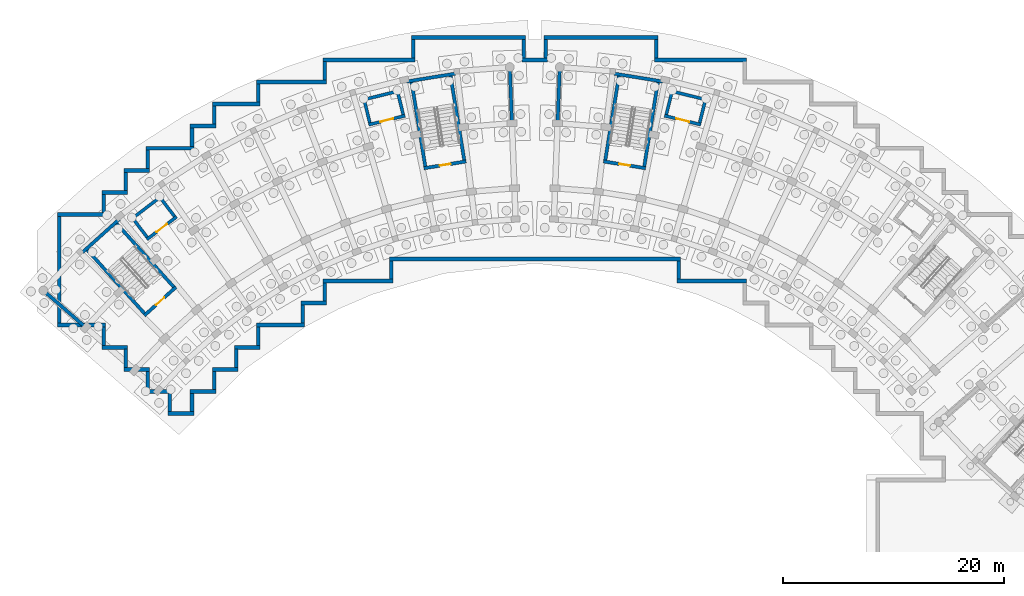
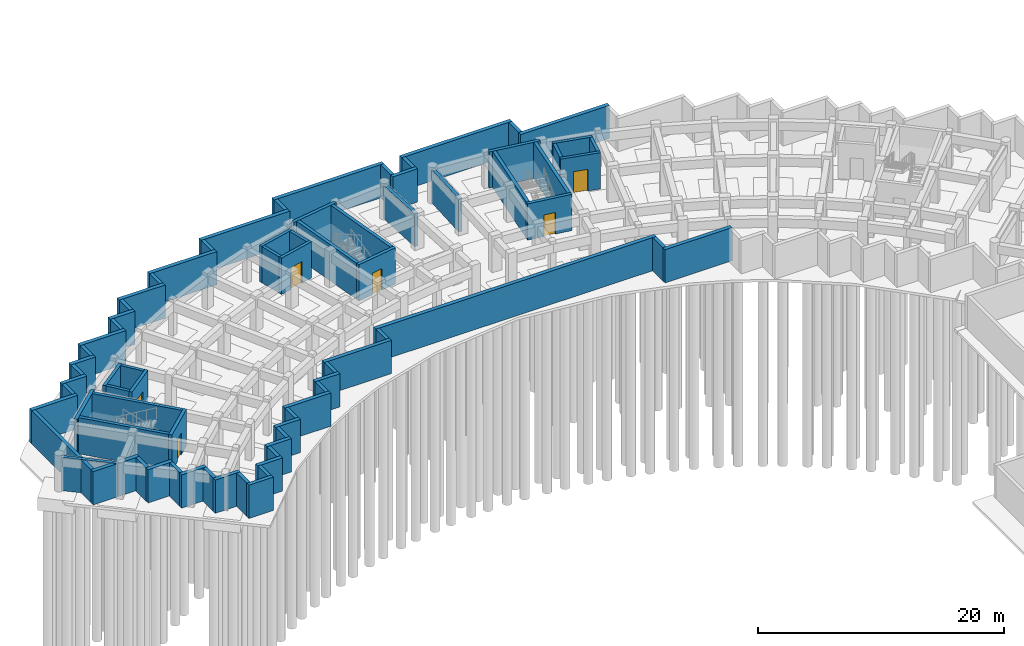
# One storey, part 19 of 32: 76 walls, 6 doors, 6 openings.
"""IFC4 building model written with IfcOpenShell, lengths in metres."""

from ifc_helpers import new_model, si_unit, direction, frame, frame_2d, origin, place, context, subcontext, project, spatial, rectangle, extrude, material, layer, layer_set, type_object, element, fill, save


model = new_model("IFC4")

# Units and contexts
model_context = context("Model", 3, precision=1e-05, world=origin(), true_north=direction((0.0, 1.0)))
body_context = subcontext(model_context, "Body", "Model", "MODEL_VIEW")
ifc_project = project(units=[si_unit("LENGTHUNIT", "METRE"), si_unit("AREAUNIT", "SQUARE_METRE"), si_unit("VOLUMEUNIT", "CUBIC_METRE"), si_unit("PLANEANGLEUNIT", "RADIAN"), si_unit("MASSUNIT", "GRAM", prefix="KILO")], contexts=[model_context])

# Site, building, storey
site_placement = place(None, origin())
site = spatial("IfcSite", under=ifc_project, at=site_placement, CompositionType="ELEMENT")
building_placement = place(site_placement, origin())
building = spatial("IfcBuilding", under=site, at=building_placement, Name="Zimvara Arc Housing Community", CompositionType="ELEMENT")
storey_placement = place(building_placement, frame((0.0, 0.0, -3.60009765625)))
storey = spatial("IfcBuildingStorey", under=building, at=storey_placement, Name="B1", CompositionType="ELEMENT", Elevation=-3.60009765625)

# Wall, opening, door
ifc_material_1 = material(Name="Concrete C40/50", Category="concrete")
ifc_layer_1 = layer(ifc_material_1, 0.280029296875)
ifc_layer_set_1 = layer_set([ifc_layer_1], Name="Concrete C40/50")
wall_type_1 = type_object("IfcWallType", Name="WL-CORE-280", PredefinedType="SHEAR", material=ifc_layer_set_1)
wall_1_placement = place(storey_placement, frame((12.615966796875, 89.80712890625, 0.0), z_axis=(0.0, 0.0, 1.0), x_axis=(-0.795474703455, -0.605986795371, 0.0)))
wall_1 = element("IfcWall", 1, at=wall_1_placement, inside=storey, type_object=wall_type_1, Name="lwall:LF-A1:B1:front", PredefinedType="SHEAR", context=body_context, shape_type="SweptSolid", body=[
    extrude(rectangle(XDim=3.389892578125, YDim=0.280029296875, at=frame_2d((1.69482421875, 0.0))), origin(), (0.0, 0.0, 1.0), 3.60009765625),
])
opening_1_placement = place(wall_1_placement, frame((1.094970703125, 0.0, 0.0)))
opening_1 = element("IfcOpeningElement", 2, at=opening_1_placement, cuts=wall_1, Name="Opening LD-LF-A1", PredefinedType="OPENING", context=body_context, shape_type="SweptSolid", body=[
    extrude(rectangle(XDim=1.199951171875, YDim=2.14990234375, at=frame_2d((0.60009765625, 1.074951171875))), frame((0.0, 0.14990234375, 0.0), z_axis=(0.0, -1.0, 0.0), x_axis=(1.0, 0.0, 0.0)), (0.0, 0.0, 1.0), 0.300048828125),
])
ifc_material_2 = material(Name="Anodised Aluminium AW-6063", Category="aluminium")
door_type_1 = type_object("IfcDoorType", Name="IDR-LD-1200x2150", OperationType="DOUBLE_DOOR_SLIDING", PredefinedType="DOOR", material=ifc_material_2)
door_1_placement = place(opening_1_placement, origin())
door_1 = element("IfcDoor", 3, at=door_1_placement, inside=storey, type_object=door_type_1, Name="Lift LF-A1 Sliding Landing Door B1", OperationType="DOUBLE_DOOR_SLIDING", OverallHeight=2.14990234375, OverallWidth=1.199951171875, PredefinedType="DOOR", context=body_context, shape_type="SweptSolid", body=[
    extrude(rectangle(XDim=1.199951171875, YDim=2.14990234375, at=frame_2d((0.60009765625, 1.074951171875))), frame((0.0, 0.02490234375, 0.0), z_axis=(0.0, -1.0, 0.0), x_axis=(1.0, 0.0, 0.0)), (0.0, 0.0, 1.0), 0.050048828125),
])
fill(opening_1, door_1)

# Walls
wall_2_placement = place(storey_placement, frame((11.216064453125, 91.644775390625, 0.0), z_axis=(0.0, 0.0, 1.0), x_axis=(-0.795439986025, -0.606032365994, 0.0)))
element("IfcWall", 4, at=wall_2_placement, inside=storey, type_object=wall_type_1, Name="lwall:LF-A1:B1:back", PredefinedType="SHEAR", context=body_context, shape_type="SweptSolid", body=[
    extrude(rectangle(XDim=3.389892578125, YDim=0.280029296875, at=frame_2d((1.69482421875, 0.0))), origin(), (0.0, 0.0, 1.0), 3.60009765625),
])
wall_3_placement = place(storey_placement, frame((12.419677734375, 89.833740234375, 0.0), z_axis=(0.0, 0.0, 1.0), x_axis=(-0.605948992168, 0.795503500238, 0.0)))
element("IfcWall", 5, at=wall_3_placement, inside=storey, type_object=wall_type_1, Name="lwall:LF-A1:B1:left", PredefinedType="SHEAR", context=body_context, shape_type="SweptSolid", body=[
    extrude(rectangle(XDim=2.02978515625, YDim=0.280029296875, at=frame_2d((1.014892578125, 0.0))), origin(), (0.0, 0.0, 1.0), 3.60009765625),
])
wall_4_placement = place(storey_placement, frame((9.94580078125, 87.948974609375, 0.0), z_axis=(0.0, 0.0, 1.0), x_axis=(-0.605891019062, 0.795547656033, 0.0)))
element("IfcWall", 6, at=wall_4_placement, inside=storey, type_object=wall_type_1, Name="lwall:LF-A1:B1:right", PredefinedType="SHEAR", context=body_context, shape_type="SweptSolid", body=[
    extrude(rectangle(XDim=2.030029296875, YDim=0.280029296875, at=frame_2d((1.01513671875, 0.0))), origin(), (0.0, 0.0, 1.0), 3.60009765625),
])

# Wall, opening, door
wall_5_placement = place(storey_placement, frame((33.27294921875, 98.942138671875, 0.0), z_axis=(0.0, 0.0, 1.0), x_axis=(-0.970707542441, -0.240264160972, 0.0)))
wall_5 = element("IfcWall", 7, at=wall_5_placement, inside=storey, type_object=wall_type_1, Name="lwall:LF-A2:B1:front", PredefinedType="SHEAR", context=body_context, shape_type="SweptSolid", body=[
    extrude(rectangle(XDim=3.389892578125, YDim=0.280029296875, at=frame_2d((1.69482421875, 0.0))), origin(), (0.0, 0.0, 1.0), 3.60009765625),
])
opening_2_placement = place(wall_5_placement, frame((1.094970703125, 0.0, 0.0)))
opening_2 = element("IfcOpeningElement", 8, at=opening_2_placement, cuts=wall_5, Name="Opening LD-LF-A2", PredefinedType="OPENING", context=body_context, shape_type="SweptSolid", body=[
    extrude(rectangle(XDim=1.199951171875, YDim=2.14990234375, at=frame_2d((0.60009765625, 1.074951171875))), frame((0.0, 0.14990234375, 0.0), z_axis=(0.0, -1.0, 0.0), x_axis=(1.0, 0.0, 0.0)), (0.0, 0.0, 1.0), 0.300048828125),
])
door_2_placement = place(opening_2_placement, origin())
door_2 = element("IfcDoor", 9, at=door_2_placement, inside=storey, type_object=door_type_1, Name="Lift LF-A2 Sliding Landing Door B1", OperationType="DOUBLE_DOOR_SLIDING", OverallHeight=2.14990234375, OverallWidth=1.199951171875, PredefinedType="DOOR", context=body_context, shape_type="SweptSolid", body=[
    extrude(rectangle(XDim=1.199951171875, YDim=2.14990234375, at=frame_2d((0.60009765625, 1.074951171875))), frame((0.0, 0.02490234375, 0.0), z_axis=(0.0, -1.0, 0.0), x_axis=(1.0, 0.0, 0.0)), (0.0, 0.0, 1.0), 0.050048828125),
])
fill(opening_2, door_2)

# Walls
wall_6_placement = place(storey_placement, frame((32.71826171875, 101.1845703125, 0.0), z_axis=(0.0, 0.0, 1.0), x_axis=(-0.970711699588, -0.240247364777, 0.0)))
element("IfcWall", 10, at=wall_6_placement, inside=storey, type_object=wall_type_1, Name="lwall:LF-A2:B1:back", PredefinedType="SHEAR", context=body_context, shape_type="SweptSolid", body=[
    extrude(rectangle(XDim=3.39013671875, YDim=0.280029296875, at=frame_2d((1.695068359375, 0.0))), origin(), (0.0, 0.0, 1.0), 3.60009765625),
])
wall_7_placement = place(storey_placement, frame((33.103515625, 99.04443359375, 0.0), z_axis=(0.0, 0.0, 1.0), x_axis=(-0.240186044774, 0.970726873995, 0.0)))
element("IfcWall", 11, at=wall_7_placement, inside=storey, type_object=wall_type_1, Name="lwall:LF-A2:B1:left", PredefinedType="SHEAR", context=body_context, shape_type="SweptSolid", body=[
    extrude(rectangle(XDim=2.02978515625, YDim=0.280029296875, at=frame_2d((1.014892578125, 0.0))), origin(), (0.0, 0.0, 1.0), 3.60009765625),
])
wall_8_placement = place(storey_placement, frame((30.084716796875, 98.29736328125, 0.0), z_axis=(0.0, 0.0, 1.0), x_axis=(-0.2402993748, 0.970698825832, 0.0)))
element("IfcWall", 12, at=wall_8_placement, inside=storey, type_object=wall_type_1, Name="lwall:LF-A2:B1:right", PredefinedType="SHEAR", context=body_context, shape_type="SweptSolid", body=[
    extrude(rectangle(XDim=2.030029296875, YDim=0.280029296875, at=frame_2d((1.01513671875, 0.0))), origin(), (0.0, 0.0, 1.0), 3.60009765625),
])

# Wall, opening, door
wall_9_placement = place(storey_placement, frame((60.017578125, 98.127685546875, 0.0), z_axis=(0.0, 0.0, 1.0), x_axis=(-0.970707542441, 0.240264160972, 0.0)))
wall_9 = element("IfcWall", 13, at=wall_9_placement, inside=storey, type_object=wall_type_1, Name="lwall:LF-B1:B1:front", PredefinedType="SHEAR", context=body_context, shape_type="SweptSolid", body=[
    extrude(rectangle(XDim=3.389892578125, YDim=0.280029296875, at=frame_2d((1.69482421875, 0.0))), origin(), (0.0, 0.0, 1.0), 3.60009765625),
])
opening_3_placement = place(wall_9_placement, frame((1.094970703125, 0.0, 0.0)))
opening_3 = element("IfcOpeningElement", 14, at=opening_3_placement, cuts=wall_9, Name="Opening LD-LF-B1", PredefinedType="OPENING", context=body_context, shape_type="SweptSolid", body=[
    extrude(rectangle(XDim=1.199951171875, YDim=2.14990234375, at=frame_2d((0.60009765625, 1.074951171875))), frame((0.0, 0.14990234375, 0.0), z_axis=(0.0, -1.0, 0.0), x_axis=(1.0, 0.0, 0.0)), (0.0, 0.0, 1.0), 0.300048828125),
])
door_3_placement = place(opening_3_placement, origin())
door_3 = element("IfcDoor", 15, at=door_3_placement, inside=storey, type_object=door_type_1, Name="Lift LF-B1 Sliding Landing Door B1", OperationType="DOUBLE_DOOR_SLIDING", OverallHeight=2.14990234375, OverallWidth=1.199951171875, PredefinedType="DOOR", context=body_context, shape_type="SweptSolid", body=[
    extrude(rectangle(XDim=1.199951171875, YDim=2.14990234375, at=frame_2d((0.60009765625, 1.074951171875))), frame((0.0, 0.02490234375, 0.0), z_axis=(0.0, -1.0, 0.0), x_axis=(1.0, 0.0, 0.0)), (0.0, 0.0, 1.0), 0.050048828125),
])
fill(opening_3, door_3)

# Walls
wall_10_placement = place(storey_placement, frame((60.572509765625, 100.3701171875, 0.0), z_axis=(0.0, 0.0, 1.0), x_axis=(-0.970711699588, 0.240247364777, 0.0)))
element("IfcWall", 16, at=wall_10_placement, inside=storey, type_object=wall_type_1, Name="lwall:LF-B1:B1:back", PredefinedType="SHEAR", context=body_context, shape_type="SweptSolid", body=[
    extrude(rectangle(XDim=3.39013671875, YDim=0.280029296875, at=frame_2d((1.695068359375, 0.0))), origin(), (0.0, 0.0, 1.0), 3.60009765625),
])
wall_11_placement = place(storey_placement, frame((59.915283203125, 98.29736328125, 0.0), z_axis=(0.0, 0.0, 1.0), x_axis=(0.2402993748, 0.970698825832, 0.0)))
element("IfcWall", 17, at=wall_11_placement, inside=storey, type_object=wall_type_1, Name="lwall:LF-B1:B1:left", PredefinedType="SHEAR", context=body_context, shape_type="SweptSolid", body=[
    extrude(rectangle(XDim=2.030029296875, YDim=0.280029296875, at=frame_2d((1.01513671875, 0.0))), origin(), (0.0, 0.0, 1.0), 3.60009765625),
])
wall_12_placement = place(storey_placement, frame((56.896484375, 99.04443359375, 0.0), z_axis=(0.0, 0.0, 1.0), x_axis=(0.240186044774, 0.970726873995, 0.0)))
element("IfcWall", 18, at=wall_12_placement, inside=storey, type_object=wall_type_1, Name="lwall:LF-B1:B1:right", PredefinedType="SHEAR", context=body_context, shape_type="SweptSolid", body=[
    extrude(rectangle(XDim=2.02978515625, YDim=0.280029296875, at=frame_2d((1.014892578125, 0.0))), origin(), (0.0, 0.0, 1.0), 3.60009765625),
])

# Wall, opening, door
ifc_material_3 = material(Name="Concrete C40/50", Category="concrete")
ifc_layer_2 = layer(ifc_material_3, 0.300048828125)
ifc_layer_set_2 = layer_set([ifc_layer_2], Name="Concrete C40/50")
wall_type_2 = type_object("IfcWallType", Name="WL-CORE-300", PredefinedType="SHEAR", material=ifc_layer_set_2)
wall_13_placement = place(storey_placement, frame((12.556884765625, 83.4501953125, 0.0), z_axis=(0.0, 0.0, 1.0), x_axis=(-0.743375696158, -0.668874109501, 0.0)))
wall_13 = element("IfcWall", 19, at=wall_13_placement, inside=storey, type_object=wall_type_2, Name="cwall:ST-A1:B1:near", PredefinedType="SHEAR", context=body_context, shape_type="SweptSolid", body=[
    extrude(rectangle(XDim=3.8701171875, YDim=0.300048828125, at=frame_2d((1.93505859375, 0.0))), origin(), (0.0, 0.0, 1.0), 3.60009765625),
])
opening_4_placement = place(wall_13_placement, frame((1.43505859375, 0.0, 0.0)))
opening_4 = element("IfcOpeningElement", 20, at=opening_4_placement, cuts=wall_13, Name="Opening FD-ST1", PredefinedType="OPENING", context=body_context, shape_type="SweptSolid", body=[
    extrude(rectangle(XDim=1.0, YDim=2.14990234375, at=frame_2d((0.5, 1.074951171875))), frame((0.0, 0.159912109375, 0.0), z_axis=(0.0, -1.0, 0.0), x_axis=(1.0, 0.0, 0.0)), (0.0, 0.0, 1.0), 0.320068359375),
])
ifc_material_4 = material(Name="Anodised Aluminium AW-6063", Category="aluminium")
door_type_2 = type_object("IfcDoorType", Name="IDR-ST-1000x2150", OperationType="NOTDEFINED", PredefinedType="DOOR", material=ifc_material_4)
door_4_placement = place(opening_4_placement, origin())
door_4 = element("IfcDoor", 21, at=door_4_placement, inside=storey, type_object=door_type_2, Name="idoor:ST-A1:B1:entry", OperationType="SINGLE_SWING_LEFT", OverallHeight=2.14990234375, OverallWidth=1.0, PredefinedType="DOOR", context=body_context, shape_type="SweptSolid", body=[
    extrude(rectangle(XDim=1.0, YDim=2.14990234375, at=frame_2d((0.5, 1.074951171875))), frame((0.0, 0.02490234375, 0.0), z_axis=(0.0, -1.0, 0.0), x_axis=(1.0, 0.0, 0.0)), (0.0, 0.0, 1.0), 0.050048828125),
])
fill(opening_4, door_4)

# Walls
wall_14_placement = place(storey_placement, frame((7.435546875, 89.59033203125, 0.0), z_axis=(0.0, 0.0, 1.0), x_axis=(-0.743400052815, -0.668847038922, 0.0)))
element("IfcWall", 22, at=wall_14_placement, inside=storey, type_object=wall_type_2, Name="cwall:ST-A1:B1:far", PredefinedType="SHEAR", context=body_context, shape_type="SweptSolid", body=[
    extrude(rectangle(XDim=4.469970703125, YDim=0.300048828125, at=frame_2d((2.23486328125, 0.0))), origin(), (0.0, 0.0, 1.0), 3.60009765625),
])
wall_15_placement = place(storey_placement, frame((12.344970703125, 83.461181640625, 0.0), z_axis=(0.0, 0.0, 1.0), x_axis=(-0.668868253964, 0.743380964808, 0.0)))
element("IfcWall", 23, at=wall_15_placement, inside=storey, type_object=wall_type_2, Name="cwall:ST-A1:B1:left", PredefinedType="SHEAR", context=body_context, shape_type="SweptSolid", body=[
    extrude(rectangle(XDim=7.68994140625, YDim=0.300048828125, at=frame_2d((3.844970703125, 0.0))), origin(), (0.0, 0.0, 1.0), 3.60009765625),
])
wall_16_placement = place(storey_placement, frame((9.691162109375, 81.073486328125, 0.0), z_axis=(0.0, 0.0, 1.0), x_axis=(-0.668885797871, 0.743365179038, 0.0)))
element("IfcWall", 24, at=wall_16_placement, inside=storey, type_object=wall_type_2, Name="cwall:ST-A1:B1:right", PredefinedType="SHEAR", context=body_context, shape_type="SweptSolid", body=[
    extrude(rectangle(XDim=7.690185546875, YDim=0.300048828125, at=frame_2d((3.84521484375, 0.0))), origin(), (0.0, 0.0, 1.0), 3.60009765625),
])

# Wall, opening, door
wall_17_placement = place(storey_placement, frame((38.793701171875, 94.810546875, 0.0), z_axis=(0.0, 0.0, 1.0), x_axis=(-0.987077443397, -0.160243941341, 0.0)))
wall_17 = element("IfcWall", 25, at=wall_17_placement, inside=storey, type_object=wall_type_2, Name="cwall:ST-A2:B1:near", PredefinedType="SHEAR", context=body_context, shape_type="SweptSolid", body=[
    extrude(rectangle(XDim=3.869873046875, YDim=0.300048828125, at=frame_2d((1.93505859375, 0.0))), origin(), (0.0, 0.0, 1.0), 3.60009765625),
])
opening_5_placement = place(wall_17_placement, frame((1.43505859375, 0.0, 0.0)))
opening_5 = element("IfcOpeningElement", 26, at=opening_5_placement, cuts=wall_17, Name="Opening FD-ST1", PredefinedType="OPENING", context=body_context, shape_type="SweptSolid", body=[
    extrude(rectangle(XDim=1.0, YDim=2.14990234375, at=frame_2d((0.5, 1.074951171875))), frame((0.0, 0.159912109375, 0.0), z_axis=(0.0, -1.0, 0.0), x_axis=(1.0, 0.0, 0.0)), (0.0, 0.0, 1.0), 0.320068359375),
])
door_5_placement = place(opening_5_placement, origin())
door_5 = element("IfcDoor", 27, at=door_5_placement, inside=storey, type_object=door_type_2, Name="idoor:ST-A2:B1:entry", OperationType="SINGLE_SWING_LEFT", OverallHeight=2.14990234375, OverallWidth=1.0, PredefinedType="DOOR", context=body_context, shape_type="SweptSolid", body=[
    extrude(rectangle(XDim=1.0, YDim=2.14990234375, at=frame_2d((0.5, 1.074951171875))), frame((0.0, 0.02490234375, 0.0), z_axis=(0.0, -1.0, 0.0), x_axis=(1.0, 0.0, 0.0)), (0.0, 0.0, 1.0), 0.050048828125),
])
fill(opening_5, door_5)

# Walls
wall_18_placement = place(storey_placement, frame((37.8095703125, 102.745361328125, 0.0), z_axis=(0.0, 0.0, 1.0), x_axis=(-0.987084710126, -0.160199173019, 0.0)))
element("IfcWall", 28, at=wall_18_placement, inside=storey, type_object=wall_type_2, Name="cwall:ST-A2:B1:far", PredefinedType="SHEAR", context=body_context, shape_type="SweptSolid", body=[
    extrude(rectangle(XDim=4.4697265625, YDim=0.300048828125, at=frame_2d((2.23486328125, 0.0))), origin(), (0.0, 0.0, 1.0), 3.60009765625),
])
for number, where, z_axis, x_axis, name in (
    (29, (38.62158203125, 94.9345703125, 0.0), (0.0, 0.0, 1.0), (-0.160196564502, 0.987085133472, 0.0), "cwall:ST-A2:B1:left"),
    (30, (35.097900390625, 94.362548828125, 0.0), (0.0, 0.0, 1.0), (-0.160227496777, 0.987080112897, 0.0), "cwall:ST-A2:B1:right"),
):
    element("IfcWall", number, at=place(storey_placement, frame(where, z_axis=z_axis, x_axis=x_axis)), inside=storey, type_object=wall_type_2, Name=name, PredefinedType="SHEAR", context=body_context, shape_type="SweptSolid", body=[
        extrude(rectangle(XDim=7.690185546875, YDim=0.300048828125, at=frame_2d((3.84521484375, 0.0))), origin(), (0.0, 0.0, 1.0), 3.60009765625),
    ])

# Wall, opening, door
wall_19_placement = place(storey_placement, frame((55.026123046875, 94.1904296875, 0.0), z_axis=(0.0, 0.0, 1.0), x_axis=(-0.987077443397, 0.160243941341, 0.0)))
wall_19 = element("IfcWall", 31, at=wall_19_placement, inside=storey, type_object=wall_type_2, Name="cwall:ST-B1:B1:near", PredefinedType="SHEAR", context=body_context, shape_type="SweptSolid", body=[
    extrude(rectangle(XDim=3.869873046875, YDim=0.300048828125, at=frame_2d((1.93505859375, 0.0))), origin(), (0.0, 0.0, 1.0), 3.60009765625),
])
opening_6_placement = place(wall_19_placement, frame((1.43505859375, 0.0, 0.0)))
opening_6 = element("IfcOpeningElement", 32, at=opening_6_placement, cuts=wall_19, Name="Opening FD-ST1", PredefinedType="OPENING", context=body_context, shape_type="SweptSolid", body=[
    extrude(rectangle(XDim=1.0, YDim=2.14990234375, at=frame_2d((0.5, 1.074951171875))), frame((0.0, 0.159912109375, 0.0), z_axis=(0.0, -1.0, 0.0), x_axis=(1.0, 0.0, 0.0)), (0.0, 0.0, 1.0), 0.320068359375),
])
door_6_placement = place(opening_6_placement, origin())
door_6 = element("IfcDoor", 33, at=door_6_placement, inside=storey, type_object=door_type_2, Name="idoor:ST-B1:B1:entry", OperationType="SINGLE_SWING_LEFT", OverallHeight=2.14990234375, OverallWidth=1.0, PredefinedType="DOOR", context=body_context, shape_type="SweptSolid", body=[
    extrude(rectangle(XDim=1.0, YDim=2.14990234375, at=frame_2d((0.5, 1.074951171875))), frame((0.0, 0.02490234375, 0.0), z_axis=(0.0, -1.0, 0.0), x_axis=(1.0, 0.0, 0.0)), (0.0, 0.0, 1.0), 0.050048828125),
])
fill(opening_6, door_6)

# Walls
wall_20_placement = place(storey_placement, frame((56.6025390625, 102.029296875, 0.0), z_axis=(0.0, 0.0, 1.0), x_axis=(-0.987084710126, 0.160199173019, 0.0)))
element("IfcWall", 34, at=wall_20_placement, inside=storey, type_object=wall_type_2, Name="cwall:ST-B1:B1:far", PredefinedType="SHEAR", context=body_context, shape_type="SweptSolid", body=[
    extrude(rectangle(XDim=4.4697265625, YDim=0.300048828125, at=frame_2d((2.23486328125, 0.0))), origin(), (0.0, 0.0, 1.0), 3.60009765625),
])
for number, where, z_axis, x_axis, name in (
    (35, (54.902099609375, 94.362548828125, 0.0), (0.0, 0.0, 1.0), (0.160227496777, 0.987080112897, 0.0), "cwall:ST-B1:B1:left"),
    (36, (51.37841796875, 94.9345703125, 0.0), (0.0, 0.0, 1.0), (0.160196564502, 0.987085133472, 0.0), "cwall:ST-B1:B1:right"),
):
    element("IfcWall", number, at=place(storey_placement, frame(where, z_axis=z_axis, x_axis=x_axis)), inside=storey, type_object=wall_type_2, Name=name, PredefinedType="SHEAR", context=body_context, shape_type="SweptSolid", body=[
        extrude(rectangle(XDim=7.690185546875, YDim=0.300048828125, at=frame_2d((3.84521484375, 0.0))), origin(), (0.0, 0.0, 1.0), 3.60009765625),
    ])
ifc_material_5 = material(Name="Concrete C35/45", Category="concrete")
ifc_layer_3 = layer(ifc_material_5, 0.320068359375)
ifc_layer_set_3 = layer_set([ifc_layer_3], Name="Concrete C35/45")
wall_type_3 = type_object("IfcWallType", Name="WL-RET-320", PredefinedType="USERDEFINED", material=ifc_layer_set_3)
for number, where, z_axis, x_axis, name in (
    (37, (56.0, 104.175048828125, 0.0), (0.0, 0.0, 1.0), (0.0, 1.0, 0.0), "wall:B1:ret:66"),
    (38, (46.0, 105.824951171875, 0.0), (0.0, 0.0, 1.0), (0.0, -1.0, 0.0), "wall:B1:ret:68"),
    (39, (44.0, 104.175048828125, 0.0), (0.0, 0.0, 1.0), (0.0, 1.0, 0.0), "wall:B1:ret:70"),
    (40, (34.0, 105.824951171875, 0.0), (0.0, 0.0, 1.0), (0.0, -1.0, 0.0), "wall:B1:ret:72"),
    (41, (26.0, 103.824951171875, 0.0), (0.0, 0.0, 1.0), (0.0, -1.0, 0.0), "wall:B1:ret:74"),
    (42, (20.0, 101.824951171875, 0.0), (0.0, 0.0, 1.0), (0.0, -1.0, 0.0), "wall:B1:ret:76"),
    (43, (16.0, 99.824951171875, 0.0), (0.0, 0.0, 1.0), (0.0, -1.0, 0.0), "wall:B1:ret:78"),
    (44, (14.0, 97.824951171875, 0.0), (0.0, 0.0, 1.0), (0.0, -1.0, 0.0), "wall:B1:ret:80"),
    (45, (10.0, 95.824951171875, 0.0), (0.0, 0.0, 1.0), (0.0, -1.0, 0.0), "wall:B1:ret:82"),
    (46, (8.0, 93.824951171875, 0.0), (0.0, 0.0, 1.0), (0.0, -1.0, 0.0), "wall:B1:ret:84"),
    (47, (6.0, 91.824951171875, 0.0), (0.0, 0.0, 1.0), (0.0, -1.0, 0.0), "wall:B1:ret:86"),
):
    element("IfcWall", number, at=place(storey_placement, frame(where, z_axis=z_axis, x_axis=x_axis)), inside=storey, type_object=wall_type_3, Name=name, ObjectType="RETAINING WALL", PredefinedType="USERDEFINED", context=body_context, shape_type="SweptSolid", body=[
        extrude(rectangle(XDim=1.64990234375, YDim=0.320068359375, at=frame_2d((0.824951171875, 0.0))), origin(), (0.0, 0.0, 1.0), 3.300048828125),
    ])
wall_21_placement = place(storey_placement, frame((2.0, 89.824951171875, 0.0), z_axis=(0.0, 0.0, 1.0), x_axis=(0.0, -1.0, 0.0)))
element("IfcWall", 48, at=wall_21_placement, inside=storey, type_object=wall_type_3, Name="wall:B1:ret:88", ObjectType="RETAINING WALL", PredefinedType="USERDEFINED", context=body_context, shape_type="SweptSolid", body=[
    extrude(rectangle(XDim=9.64990234375, YDim=0.320068359375, at=frame_2d((4.824951171875, 0.0))), origin(), (0.0, 0.0, 1.0), 3.300048828125),
])
for number, where, z_axis, x_axis, name in (
    (49, (6.0, 79.824951171875, 0.0), (0.0, 0.0, 1.0), (0.0, -1.0, 0.0), "wall:B1:ret:90"),
    (50, (8.0, 77.824951171875, 0.0), (0.0, 0.0, 1.0), (0.0, -1.0, 0.0), "wall:B1:ret:92"),
    (51, (10.0, 75.824951171875, 0.0), (0.0, 0.0, 1.0), (0.0, -1.0, 0.0), "wall:B1:ret:94"),
    (52, (12.0, 73.824951171875, 0.0), (0.0, 0.0, 1.0), (0.0, -1.0, 0.0), "wall:B1:ret:96"),
    (53, (14.0, 72.175048828125, 0.0), (0.0, 0.0, 1.0), (0.0, 1.0, 0.0), "wall:B1:ret:98"),
    (54, (16.0, 74.175048828125, 0.0), (0.0, 0.0, 1.0), (0.0, 1.0, 0.0), "wall:B1:ret:100"),
    (55, (18.0, 76.175048828125, 0.0), (0.0, 0.0, 1.0), (0.0, 1.0, 0.0), "wall:B1:ret:102"),
    (56, (20.0, 78.175048828125, 0.0), (0.0, 0.0, 1.0), (0.0, 1.0, 0.0), "wall:B1:ret:104"),
    (57, (24.0, 80.175048828125, 0.0), (0.0, 0.0, 1.0), (0.0, 1.0, 0.0), "wall:B1:ret:106"),
    (58, (26.0, 82.175048828125, 0.0), (0.0, 0.0, 1.0), (0.0, 1.0, 0.0), "wall:B1:ret:108"),
    (59, (32.0, 84.175048828125, 0.0), (0.0, 0.0, 1.0), (0.0, 1.0, 0.0), "wall:B1:ret:110"),
    (60, (58.0, 85.824951171875, 0.0), (0.0, 0.0, 1.0), (0.0, -1.0, 0.0), "wall:B1:ret:112"),
):
    element("IfcWall", number, at=place(storey_placement, frame(where, z_axis=z_axis, x_axis=x_axis)), inside=storey, type_object=wall_type_3, Name=name, ObjectType="RETAINING WALL", PredefinedType="USERDEFINED", context=body_context, shape_type="SweptSolid", body=[
        extrude(rectangle(XDim=1.64990234375, YDim=0.320068359375, at=frame_2d((0.824951171875, 0.0))), origin(), (0.0, 0.0, 1.0), 3.300048828125),
    ])
ifc_material_6 = material(Name="Concrete C35/45", Category="concrete")
ifc_layer_4 = layer(ifc_material_6, 0.360107421875)
ifc_layer_set_4 = layer_set([ifc_layer_4], Name="Concrete C35/45")
wall_type_4 = type_object("IfcWallType", Name="WL-RET-360", PredefinedType="USERDEFINED", material=ifc_layer_set_4)
wall_22_placement = place(storey_placement, frame((64.159912109375, 104.0, 0.0), z_axis=(0.0, 0.0, 1.0), x_axis=(-1.0, 0.0, 0.0)))
element("IfcWall", 61, at=wall_22_placement, inside=storey, type_object=wall_type_4, Name="wall:B1:ret:65", ObjectType="RETAINING WALL", PredefinedType="USERDEFINED", context=body_context, shape_type="SweptSolid", body=[
    extrude(rectangle(XDim=8.31982421875, YDim=0.360107421875, at=frame_2d((4.159912109375, 0.0))), origin(), (0.0, 0.0, 1.0), 3.300048828125),
])
wall_23_placement = place(storey_placement, frame((56.159912109375, 106.0, 0.0), z_axis=(0.0, 0.0, 1.0), x_axis=(-1.0, 0.0, 0.0)))
element("IfcWall", 62, at=wall_23_placement, inside=storey, type_object=wall_type_4, Name="wall:B1:ret:67", ObjectType="RETAINING WALL", PredefinedType="USERDEFINED", context=body_context, shape_type="SweptSolid", body=[
    extrude(rectangle(XDim=10.31982421875, YDim=0.360107421875, at=frame_2d((5.159912109375, 0.0))), origin(), (0.0, 0.0, 1.0), 3.300048828125),
])
wall_24_placement = place(storey_placement, frame((46.159912109375, 104.0, 0.0), z_axis=(0.0, 0.0, 1.0), x_axis=(-1.0, 0.0, 0.0)))
element("IfcWall", 63, at=wall_24_placement, inside=storey, type_object=wall_type_4, Name="wall:B1:ret:69", ObjectType="RETAINING WALL", PredefinedType="USERDEFINED", context=body_context, shape_type="SweptSolid", body=[
    extrude(rectangle(XDim=2.31982421875, YDim=0.360107421875, at=frame_2d((1.159912109375, 0.0))), origin(), (0.0, 0.0, 1.0), 3.300048828125),
])
wall_25_placement = place(storey_placement, frame((44.159912109375, 106.0, 0.0), z_axis=(0.0, 0.0, 1.0), x_axis=(-1.0, 0.0, 0.0)))
element("IfcWall", 64, at=wall_25_placement, inside=storey, type_object=wall_type_4, Name="wall:B1:ret:71", ObjectType="RETAINING WALL", PredefinedType="USERDEFINED", context=body_context, shape_type="SweptSolid", body=[
    extrude(rectangle(XDim=10.31982421875, YDim=0.360107421875, at=frame_2d((5.159912109375, 0.0))), origin(), (0.0, 0.0, 1.0), 3.300048828125),
])
wall_26_placement = place(storey_placement, frame((34.159912109375, 104.0, 0.0), z_axis=(0.0, 0.0, 1.0), x_axis=(-1.0, 0.0, 0.0)))
element("IfcWall", 65, at=wall_26_placement, inside=storey, type_object=wall_type_4, Name="wall:B1:ret:73", ObjectType="RETAINING WALL", PredefinedType="USERDEFINED", context=body_context, shape_type="SweptSolid", body=[
    extrude(rectangle(XDim=8.31982421875, YDim=0.360107421875, at=frame_2d((4.159912109375, 0.0))), origin(), (0.0, 0.0, 1.0), 3.300048828125),
])
wall_27_placement = place(storey_placement, frame((26.159912109375, 102.0, 0.0), z_axis=(0.0, 0.0, 1.0), x_axis=(-1.0, 0.0, 0.0)))
element("IfcWall", 66, at=wall_27_placement, inside=storey, type_object=wall_type_4, Name="wall:B1:ret:75", ObjectType="RETAINING WALL", PredefinedType="USERDEFINED", context=body_context, shape_type="SweptSolid", body=[
    extrude(rectangle(XDim=6.31982421875, YDim=0.360107421875, at=frame_2d((3.159912109375, 0.0))), origin(), (0.0, 0.0, 1.0), 3.300048828125),
])
wall_28_placement = place(storey_placement, frame((20.159912109375, 100.0, 0.0), z_axis=(0.0, 0.0, 1.0), x_axis=(-1.0, 0.0, 0.0)))
element("IfcWall", 67, at=wall_28_placement, inside=storey, type_object=wall_type_4, Name="wall:B1:ret:77", ObjectType="RETAINING WALL", PredefinedType="USERDEFINED", context=body_context, shape_type="SweptSolid", body=[
    extrude(rectangle(XDim=4.31982421875, YDim=0.360107421875, at=frame_2d((2.159912109375, 0.0))), origin(), (0.0, 0.0, 1.0), 3.300048828125),
])
wall_29_placement = place(storey_placement, frame((16.159912109375, 98.0, 0.0), z_axis=(0.0, 0.0, 1.0), x_axis=(-1.0, 0.0, 0.0)))
element("IfcWall", 68, at=wall_29_placement, inside=storey, type_object=wall_type_4, Name="wall:B1:ret:79", ObjectType="RETAINING WALL", PredefinedType="USERDEFINED", context=body_context, shape_type="SweptSolid", body=[
    extrude(rectangle(XDim=2.31982421875, YDim=0.360107421875, at=frame_2d((1.159912109375, 0.0))), origin(), (0.0, 0.0, 1.0), 3.300048828125),
])
wall_30_placement = place(storey_placement, frame((14.159912109375, 96.0, 0.0), z_axis=(0.0, 0.0, 1.0), x_axis=(-1.0, 0.0, 0.0)))
element("IfcWall", 69, at=wall_30_placement, inside=storey, type_object=wall_type_4, Name="wall:B1:ret:81", ObjectType="RETAINING WALL", PredefinedType="USERDEFINED", context=body_context, shape_type="SweptSolid", body=[
    extrude(rectangle(XDim=4.31982421875, YDim=0.360107421875, at=frame_2d((2.159912109375, 0.0))), origin(), (0.0, 0.0, 1.0), 3.300048828125),
])
for number, where, z_axis, x_axis, name in (
    (70, (10.159912109375, 94.0, 0.0), (0.0, 0.0, 1.0), (-1.0, 0.0, 0.0), "wall:B1:ret:83"),
    (71, (8.159912109375, 92.0, 0.0), (0.0, 0.0, 1.0), (-1.0, 0.0, 0.0), "wall:B1:ret:85"),
):
    element("IfcWall", number, at=place(storey_placement, frame(where, z_axis=z_axis, x_axis=x_axis)), inside=storey, type_object=wall_type_4, Name=name, ObjectType="RETAINING WALL", PredefinedType="USERDEFINED", context=body_context, shape_type="SweptSolid", body=[
        extrude(rectangle(XDim=2.31982421875, YDim=0.360107421875, at=frame_2d((1.159912109375, 0.0))), origin(), (0.0, 0.0, 1.0), 3.300048828125),
    ])
for number, where, z_axis, x_axis, name in (
    (72, (6.159912109375, 90.0, 0.0), (0.0, 0.0, 1.0), (-1.0, 0.0, 0.0), "wall:B1:ret:87"),
    (73, (1.840087890625, 80.0, 0.0), (0.0, 0.0, 1.0), (1.0, 0.0, 0.0), "wall:B1:ret:89"),
):
    element("IfcWall", number, at=place(storey_placement, frame(where, z_axis=z_axis, x_axis=x_axis)), inside=storey, type_object=wall_type_4, Name=name, ObjectType="RETAINING WALL", PredefinedType="USERDEFINED", context=body_context, shape_type="SweptSolid", body=[
        extrude(rectangle(XDim=4.31982421875, YDim=0.360107421875, at=frame_2d((2.159912109375, 0.0))), origin(), (0.0, 0.0, 1.0), 3.300048828125),
    ])
for number, where, z_axis, x_axis, name in (
    (74, (5.840087890625, 78.0, 0.0), (0.0, 0.0, 1.0), (1.0, 0.0, 0.0), "wall:B1:ret:91"),
    (75, (7.840087890625, 76.0, 0.0), (0.0, 0.0, 1.0), (1.0, 0.0, 0.0), "wall:B1:ret:93"),
    (76, (9.840087890625, 74.0, 0.0), (0.0, 0.0, 1.0), (1.0, 0.0, 0.0), "wall:B1:ret:95"),
    (77, (11.840087890625, 72.0, 0.0), (0.0, 0.0, 1.0), (1.0, 0.0, 0.0), "wall:B1:ret:97"),
    (78, (13.840087890625, 74.0, 0.0), (0.0, 0.0, 1.0), (1.0, 0.0, 0.0), "wall:B1:ret:99"),
    (79, (15.840087890625, 76.0, 0.0), (0.0, 0.0, 1.0), (1.0, 0.0, 0.0), "wall:B1:ret:101"),
    (80, (17.840087890625, 78.0, 0.0), (0.0, 0.0, 1.0), (1.0, 0.0, 0.0), "wall:B1:ret:103"),
):
    element("IfcWall", number, at=place(storey_placement, frame(where, z_axis=z_axis, x_axis=x_axis)), inside=storey, type_object=wall_type_4, Name=name, ObjectType="RETAINING WALL", PredefinedType="USERDEFINED", context=body_context, shape_type="SweptSolid", body=[
        extrude(rectangle(XDim=2.31982421875, YDim=0.360107421875, at=frame_2d((1.159912109375, 0.0))), origin(), (0.0, 0.0, 1.0), 3.300048828125),
    ])
wall_31_placement = place(storey_placement, frame((19.840087890625, 80.0, 0.0), z_axis=(0.0, 0.0, 1.0), x_axis=(1.0, 0.0, 0.0)))
element("IfcWall", 81, at=wall_31_placement, inside=storey, type_object=wall_type_4, Name="wall:B1:ret:105", ObjectType="RETAINING WALL", PredefinedType="USERDEFINED", context=body_context, shape_type="SweptSolid", body=[
    extrude(rectangle(XDim=4.31982421875, YDim=0.360107421875, at=frame_2d((2.159912109375, 0.0))), origin(), (0.0, 0.0, 1.0), 3.300048828125),
])
wall_32_placement = place(storey_placement, frame((23.840087890625, 82.0, 0.0), z_axis=(0.0, 0.0, 1.0), x_axis=(1.0, 0.0, 0.0)))
element("IfcWall", 82, at=wall_32_placement, inside=storey, type_object=wall_type_4, Name="wall:B1:ret:107", ObjectType="RETAINING WALL", PredefinedType="USERDEFINED", context=body_context, shape_type="SweptSolid", body=[
    extrude(rectangle(XDim=2.31982421875, YDim=0.360107421875, at=frame_2d((1.159912109375, 0.0))), origin(), (0.0, 0.0, 1.0), 3.300048828125),
])
wall_33_placement = place(storey_placement, frame((25.840087890625, 84.0, 0.0), z_axis=(0.0, 0.0, 1.0), x_axis=(1.0, 0.0, 0.0)))
element("IfcWall", 83, at=wall_33_placement, inside=storey, type_object=wall_type_4, Name="wall:B1:ret:109", ObjectType="RETAINING WALL", PredefinedType="USERDEFINED", context=body_context, shape_type="SweptSolid", body=[
    extrude(rectangle(XDim=6.31982421875, YDim=0.360107421875, at=frame_2d((3.159912109375, 0.0))), origin(), (0.0, 0.0, 1.0), 3.300048828125),
])
wall_34_placement = place(storey_placement, frame((31.840087890625, 86.0, 0.0), z_axis=(0.0, 0.0, 1.0), x_axis=(1.0, 0.0, 0.0)))
element("IfcWall", 84, at=wall_34_placement, inside=storey, type_object=wall_type_4, Name="wall:B1:ret:111", ObjectType="RETAINING WALL", PredefinedType="USERDEFINED", context=body_context, shape_type="SweptSolid", body=[
    extrude(rectangle(XDim=26.31982421875, YDim=0.360107421875, at=frame_2d((13.159912109375, 0.0))), origin(), (0.0, 0.0, 1.0), 3.300048828125),
])
wall_35_placement = place(storey_placement, frame((57.840087890625, 84.0, 0.0), z_axis=(0.0, 0.0, 1.0), x_axis=(1.0, 0.0, 0.0)))
element("IfcWall", 85, at=wall_35_placement, inside=storey, type_object=wall_type_4, Name="wall:B1:ret:113", ObjectType="RETAINING WALL", PredefinedType="USERDEFINED", context=body_context, shape_type="SweptSolid", body=[
    extrude(rectangle(XDim=6.31982421875, YDim=0.360107421875, at=frame_2d((3.159912109375, 0.0))), origin(), (0.0, 0.0, 1.0), 3.300048828125),
])
ifc_material_7 = material(Name="Concrete C40/50", Category="concrete")
ifc_layer_5 = layer(ifc_material_7, 0.31005859375)
ifc_layer_set_5 = layer_set([ifc_layer_5], Name="Concrete C40/50")
wall_type_5 = type_object("IfcWallType", Name="WL-SHEAR-310", PredefinedType="SHEAR", material=ifc_layer_set_5)
for number, where, z_axis, x_axis, name in (
    (86, (4.2607421875, 79.9140625, 0.0), (0.0, 0.0, 1.0), (-0.754703505217, 0.65606601742, 0.0), "swall:blkA:B1:west"),
    (87, (42.927734375, 98.440185546875, 0.0), (0.0, 0.0, 1.0), (-0.038379487611, 0.999263236055, 0.0), "swall:blkA:B1:east"),
    (88, (47.072265625, 98.440185546875, 0.0), (0.0, 0.0, 1.0), (0.038379487611, 0.999263236055, 0.0), "swall:blkB:B1:west"),
):
    element("IfcWall", number, at=place(storey_placement, frame(where, z_axis=z_axis, x_axis=x_axis)), inside=storey, type_object=wall_type_5, Name=name, PredefinedType="SHEAR", context=body_context, shape_type="SweptSolid", body=[
        extrude(rectangle(XDim=4.719970703125, YDim=0.31005859375, at=frame_2d((2.35986328125, 0.0))), origin(), (0.0, 0.0, 1.0), 3.300048828125),
    ])

save(model, "model.ifc")
